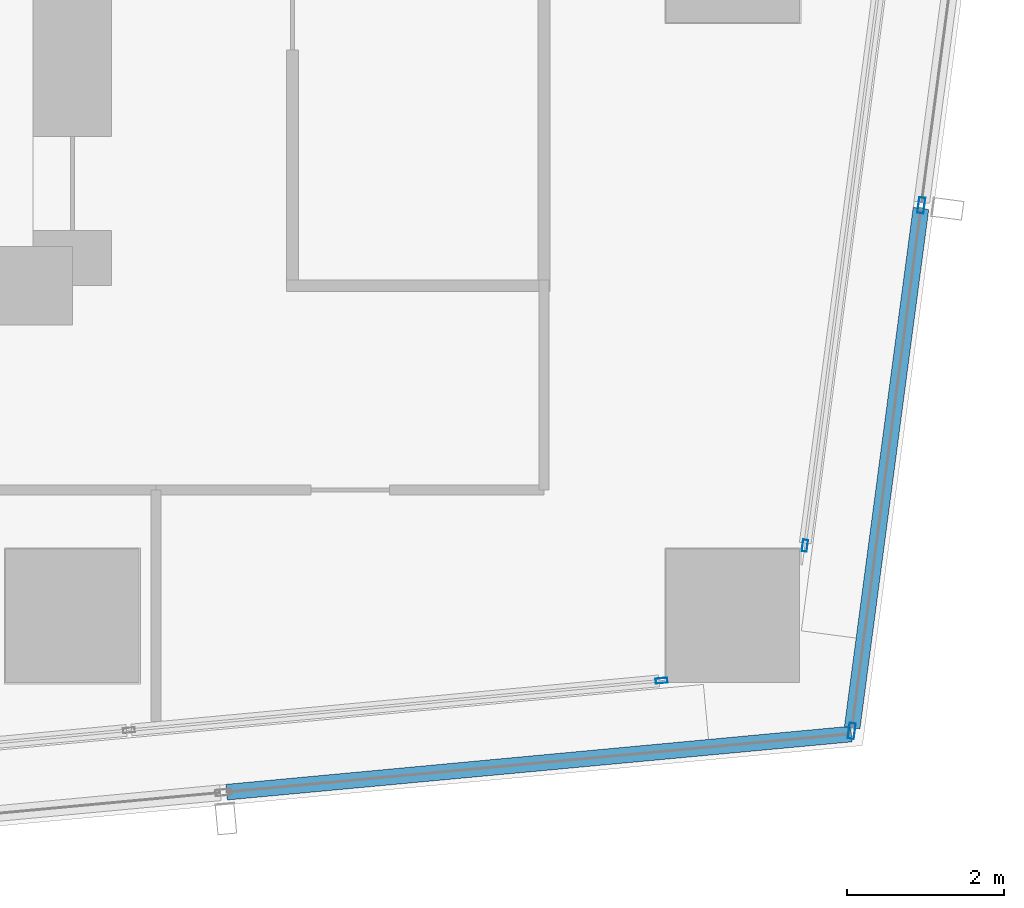
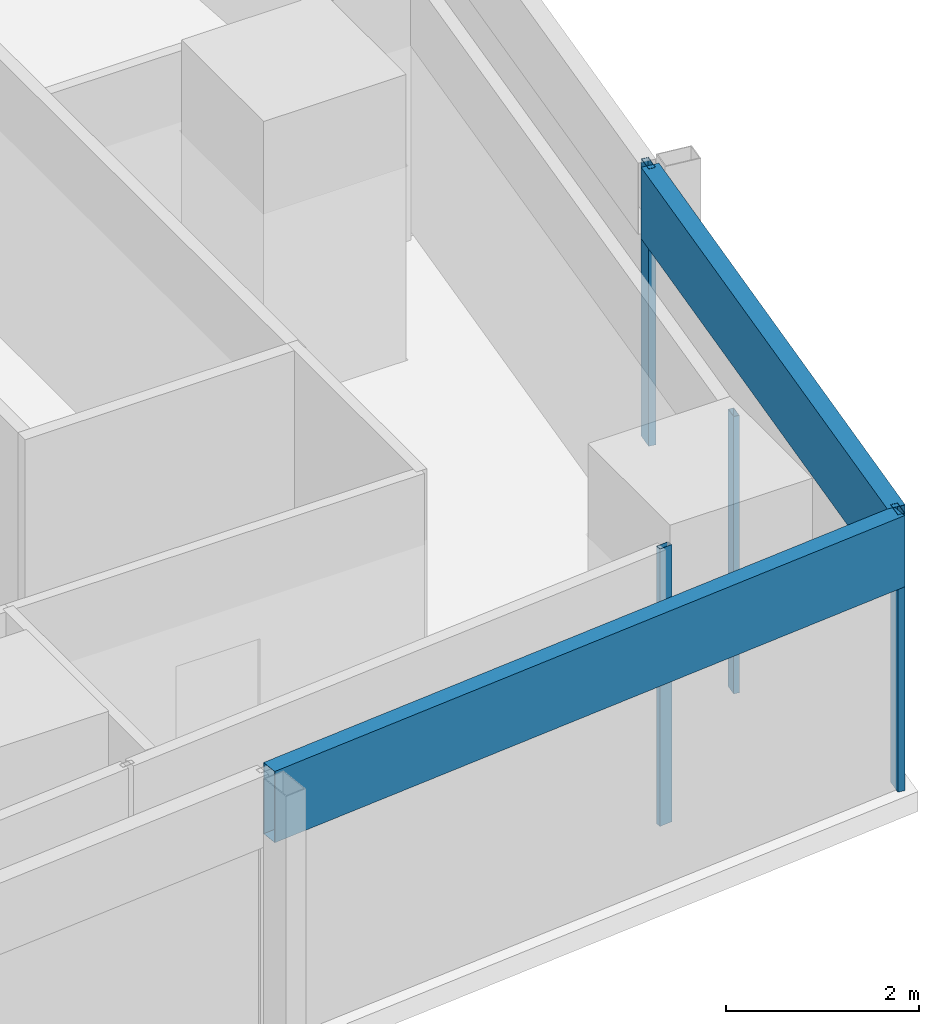
# One storey, part 12 of 39: 6 members, 4 elements without a shape of their own.
"""IFC4 building model written with IfcOpenShell, lengths in metres."""

from ifc_helpers import new_model, si_unit, direction, frame, origin, origin_2d, place, context, subcontext, project, spatial, hollow_rectangle, extrude, material, material_profile, profile_set, type_object, element, aggregate, save


model = new_model("IFC4")

# Units and contexts
model_context = context("Model", 3, precision=1e-05, world=origin(), true_north=direction((0.0, 1.0)))
body_context = subcontext(model_context, "Body", "Model", "MODEL_VIEW")
ifc_project = project(units=[si_unit("LENGTHUNIT", "METRE"), si_unit("AREAUNIT", "SQUARE_METRE"), si_unit("VOLUMEUNIT", "CUBIC_METRE"), si_unit("PLANEANGLEUNIT", "RADIAN"), si_unit("MASSUNIT", "GRAM", prefix="KILO")], contexts=[model_context])

# Site, building, storey
site_placement = place(None, origin())
site = spatial("IfcSite", under=ifc_project, at=site_placement, CompositionType="ELEMENT")
building_placement = place(site_placement, origin())
building = spatial("IfcBuilding", under=site, at=building_placement, Name="Rekha Terrace Tower", CompositionType="ELEMENT")
storey_placement = place(building_placement, frame((0.0, 0.0, 180.199951171875)))
storey = spatial("IfcBuildingStorey", under=building, at=storey_placement, Name="L45", CompositionType="ELEMENT", Elevation=180.199951171875)

# Curtain wall, member
ifc_material_1 = material(Name="Aluminium framing", Category="aluminium")
curtain_wall_type_1 = type_object("IfcCurtainWallType", Name="CW1 double skin inner glazing", PredefinedType="USERDEFINED", material=ifc_material_1)
curtain_wall_1_placement = place(storey_placement, origin())
curtain_wall_1 = element("IfcCurtainWall", 1, at=curtain_wall_1_placement, inside=storey, type_object=curtain_wall_type_1, Name="CW1 double skin inner glazing", ObjectType="DOUBLE SKIN INNER GLAZING", PredefinedType="USERDEFINED")
ifc_material_2 = material(Name="Aluminium mullion section", Category="aluminium")
ifc_material_profile_1 = material_profile(ifc_material_2, hollow_rectangle(XDim=0.06494140625, YDim=0.14990234375, WallThickness=0.00390625, at=origin_2d()), Name="AL RHS 65x150")
ifc_profile_set_1 = profile_set([ifc_material_profile_1], Name="Aluminium mullion section")
member_type_1 = type_object("IfcMemberType", Name="CW1 mullion RHS 65 x 150", PredefinedType="MULLION", material=ifc_profile_set_1)
member_1_placement = place(storey_placement, frame((57.894775390625, 15.9765625, 0.0), z_axis=(0.0, 0.0, 1.0), x_axis=(-0.092708869529, 0.995693258745, 0.0)))
member_1 = element("IfcMember", 2, at=member_1_placement, type_object=member_type_1, Name="CW1 mullion 3", PredefinedType="MULLION", context=body_context, shape_type="SweptSolid", body=[
    extrude(hollow_rectangle(XDim=0.06494140625, YDim=0.14990234375, WallThickness=0.00390625, at=origin_2d()), origin(), (0.0, 0.0, 1.0), 3.5),
])
aggregate(curtain_wall_1, [member_1])

curtain_wall_2_placement = place(storey_placement, origin())
curtain_wall_2 = element("IfcCurtainWall", 3, at=curtain_wall_2_placement, inside=storey, type_object=curtain_wall_type_1, Name="CW1 double skin inner glazing", ObjectType="DOUBLE SKIN INNER GLAZING", PredefinedType="USERDEFINED")
member_2_placement = place(storey_placement, frame((59.7177734375, 17.694091796875, 0.0), z_axis=(0.0, 0.0, 1.0), x_axis=(-0.991342203194, 0.131303603023, 0.0)))
member_2 = element("IfcMember", 4, at=member_2_placement, type_object=member_type_1, Name="CW1 mullion 1", PredefinedType="MULLION", context=body_context, shape_type="SweptSolid", body=[
    extrude(hollow_rectangle(XDim=0.06494140625, YDim=0.14990234375, WallThickness=0.00390625, at=origin_2d()), origin(), (0.0, 0.0, 1.0), 3.5),
])
aggregate(curtain_wall_2, [member_2])

# Curtain wall, members
curtain_wall_type_2 = type_object("IfcCurtainWallType", Name="CW2 double skin outer glazing", PredefinedType="USERDEFINED", material=ifc_material_1)
curtain_wall_3_placement = place(storey_placement, origin())
curtain_wall_3 = element("IfcCurtainWall", 5, at=curtain_wall_3_placement, inside=storey, type_object=curtain_wall_type_2, Name="CW2 double skin outer glazing", ObjectType="DOUBLE SKIN OUTER GLAZING", PredefinedType="USERDEFINED")
ifc_material_profile_2 = material_profile(ifc_material_2, hollow_rectangle(XDim=0.080078125, YDim=0.199951171875, WallThickness=0.00390625, at=origin_2d()), Name="AL RHS 80x200")
ifc_profile_set_2 = profile_set([ifc_material_profile_2], Name="Aluminium mullion section")
member_type_2 = type_object("IfcMemberType", Name="CW2 mullion RHS 80 x 200", PredefinedType="MULLION", material=ifc_profile_set_2)
member_3_placement = place(storey_placement, frame((60.3134765625, 15.337158203125, 0.0), z_axis=(0.0, 0.0, 1.0), x_axis=(-0.991342203187, 0.131303603075, 0.0)))
member_3 = element("IfcMember", 6, at=member_3_placement, type_object=member_type_2, Name="CW2 mullion 1", PredefinedType="MULLION", context=body_context, shape_type="SweptSolid", body=[
    extrude(hollow_rectangle(XDim=0.080078125, YDim=0.199951171875, WallThickness=0.00390625, at=origin_2d()), origin(), (0.0, 0.0, 1.0), 3.5),
])
member_4_placement = place(storey_placement, frame((61.19873046875, 22.021728515625, 0.0), z_axis=(0.0, 0.0, 1.0), x_axis=(-0.991342203187, 0.131303603075, 0.0)))
member_4 = element("IfcMember", 7, at=member_4_placement, type_object=member_type_2, Name="CW2 mullion 2", PredefinedType="MULLION", context=body_context, shape_type="SweptSolid", body=[
    extrude(hollow_rectangle(XDim=0.080078125, YDim=0.199951171875, WallThickness=0.00390625, at=origin_2d()), origin(), (0.0, 0.0, 1.0), 3.5),
])

# Curtain wall, member
curtain_wall_4_placement = place(storey_placement, origin())
curtain_wall_4 = element("IfcCurtainWall", 8, at=curtain_wall_4_placement, inside=storey, type_object=curtain_wall_type_2, Name="CW2 double skin outer glazing", ObjectType="DOUBLE SKIN OUTER GLAZING", PredefinedType="USERDEFINED")
ifc_material_3 = material(Name="Insulated aluminium spandrel box", Category="aluminium")
ifc_material_profile_3 = material_profile(ifc_material_3, hollow_rectangle(XDim=0.199951171875, YDim=0.89990234375, WallThickness=0.0029296875, at=origin_2d()), Name="AL SPANDREL BOX 200x900")
ifc_profile_set_3 = profile_set([ifc_material_profile_3], Name="Insulated aluminium spandrel box")
member_type_3 = type_object("IfcMemberType", Name="CW2 spandrel transom 200 x 900", PredefinedType="USERDEFINED", material=ifc_profile_set_3)
member_5_placement = place(storey_placement, frame((52.36181640625, 14.5576171875, 3.050048828125), z_axis=(0.99569478362, 0.092692490917, 0.0), x_axis=(-0.092692490917, 0.99569478362, 0.0)))
member_5 = element("IfcMember", 9, at=member_5_placement, type_object=member_type_3, Name="CW2 spandrel transom 2", ObjectType="TRANSOM", PredefinedType="USERDEFINED", context=body_context, shape_type="SweptSolid", body=[
    extrude(hollow_rectangle(XDim=0.199951171875, YDim=0.89990234375, WallThickness=0.0029296875, at=origin_2d()), origin(), (0.0, 0.0, 1.0), 7.980712890625),
])
aggregate(curtain_wall_4, [member_5])

# Member
member_6_placement = place(storey_placement, frame((60.318603515625, 15.376708984375, 3.050048828125), z_axis=(0.131318864981, 0.991340181623, 0.0), x_axis=(-0.991340181623, 0.131318864981, 0.0)))
member_6 = element("IfcMember", 10, at=member_6_placement, type_object=member_type_3, Name="CW2 spandrel transom 1", ObjectType="TRANSOM", PredefinedType="USERDEFINED", context=body_context, shape_type="SweptSolid", body=[
    extrude(hollow_rectangle(XDim=0.199951171875, YDim=0.89990234375, WallThickness=0.0029296875, at=origin_2d()), origin(), (0.0, 0.0, 1.0), 6.6630859375),
])

aggregate(curtain_wall_3, [member_3, member_4, member_6])

save(model, "model.ifc")
